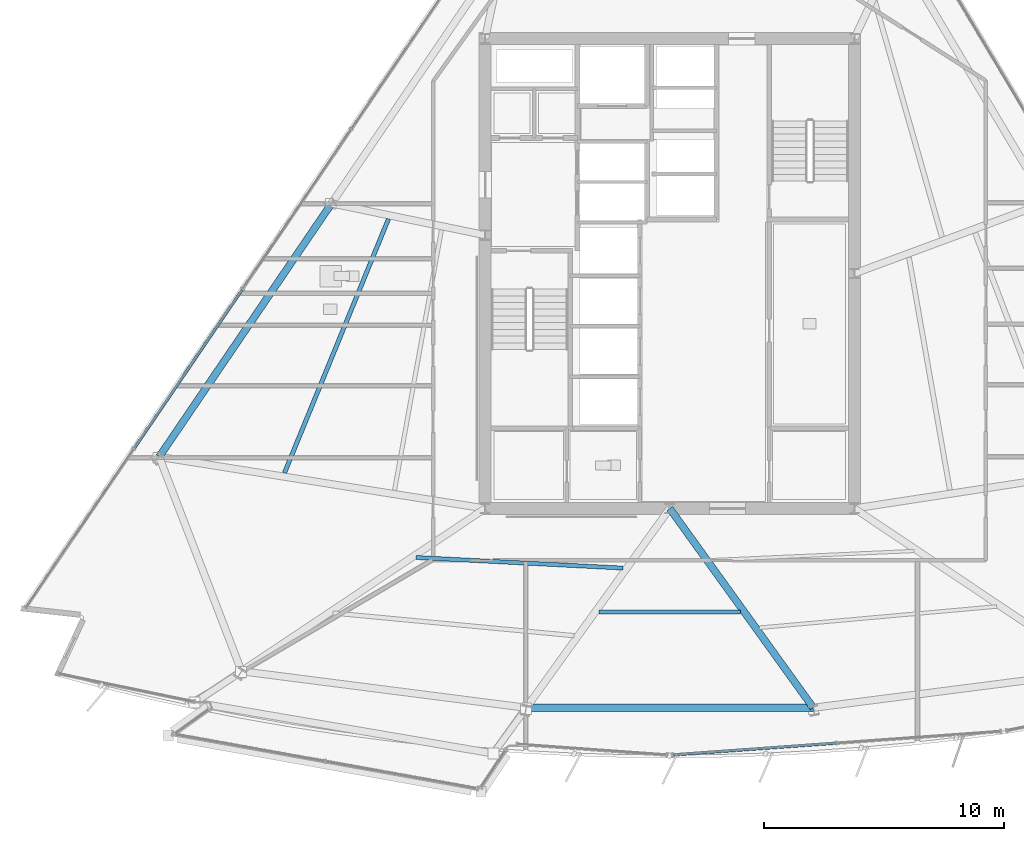
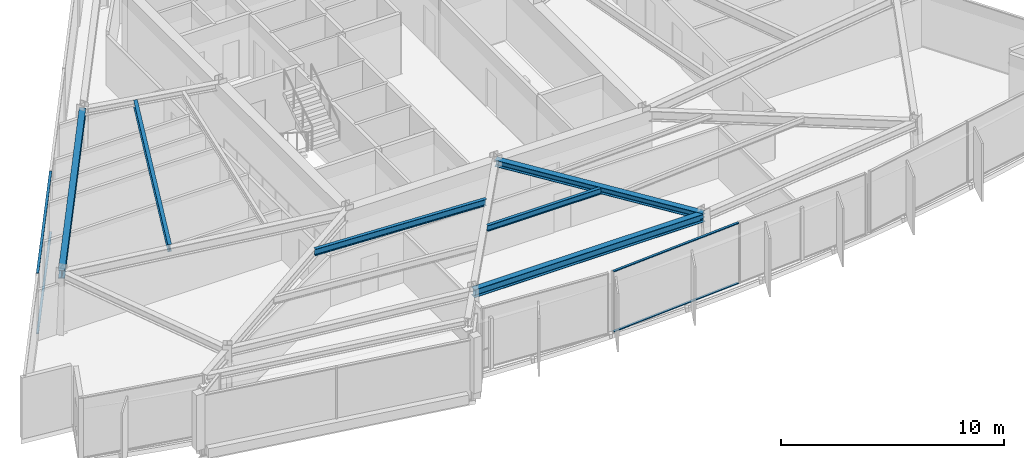
# One storey, part 3 of 16: 6 beams, 4 members, 2 elements without a shape of their own.
"""IFC4 building model written with IfcOpenShell, lengths in metres."""

from ifc_helpers import new_model, si_unit, direction, frame, origin, origin_2d, place, context, subcontext, project, spatial, rectangle, i_section, extrude, material, material_profile, profile_set, type_object, element, aggregate, save


model = new_model("IFC4")

# Units and contexts
model_context = context("Model", 3, precision=1e-05, world=origin(), true_north=direction((0.0, 1.0)))
body_context = subcontext(model_context, "Body", "Model", "MODEL_VIEW")
ifc_project = project(units=[si_unit("LENGTHUNIT", "METRE"), si_unit("AREAUNIT", "SQUARE_METRE"), si_unit("VOLUMEUNIT", "CUBIC_METRE"), si_unit("PLANEANGLEUNIT", "RADIAN"), si_unit("MASSUNIT", "GRAM", prefix="KILO")], contexts=[model_context])

# Site, building, storey
site_placement = place(None, origin())
site = spatial("IfcSite", under=ifc_project, at=site_placement, CompositionType="ELEMENT")
building_placement = place(site_placement, origin())
building = spatial("IfcBuilding", under=site, at=building_placement, Name="Savorim Split Tower", CompositionType="ELEMENT")
storey_placement = place(building_placement, frame((0.0, 0.0, 149.39990234375)))
storey = spatial("IfcBuildingStorey", under=building, at=storey_placement, Name="L39", CompositionType="ELEMENT", Elevation=149.39990234375)

# Beams
ifc_material_1 = material(Name="Steel S355", Category="steel")
ifc_material_profile_1 = material_profile(ifc_material_1, i_section(OverallWidth=0.159912109375, OverallDepth=0.330078125, WebThickness=0.007568359375, FlangeThickness=0.011474609375, FilletRadius=0.01806640625, at=origin_2d()), Name="IPE 330")
ifc_profile_set_1 = profile_set([ifc_material_profile_1], Name="Steel S355")
beam_type_1 = type_object("IfcBeamType", Name="BM-JST-IPE330", PredefinedType="JOIST", material=ifc_profile_set_1)
beam_1_placement = place(storey_placement, frame((-2.952392578125, -13.72216796875, 3.18505859375), z_axis=(1.0, 0.0, 0.0), x_axis=(0.0, 1.0, 0.0)))
element("IfcBeam", 1, at=beam_1_placement, inside=storey, type_object=beam_type_1, Name="L39 Secondary Floor Joist JS-03", PredefinedType="JOIST", context=body_context, shape_type="SweptSolid", body=[
    extrude(i_section(OverallWidth=0.159912109375, OverallDepth=0.330078125, WebThickness=0.007568359375, FlangeThickness=0.011474609375, FilletRadius=0.01806640625, at=origin_2d()), origin(), (0.0, 0.0, 1.0), 5.90478515625),
])
ifc_material_profile_2 = material_profile(ifc_material_1, i_section(OverallWidth=0.169921875, OverallDepth=0.360107421875, WebThickness=0.008056640625, FlangeThickness=0.0126953125, FilletRadius=0.01806640625, at=origin_2d()), Name="IPE 360")
ifc_profile_set_2 = profile_set([ifc_material_profile_2], Name="Steel S355")
beam_type_2 = type_object("IfcBeamType", Name="BM-JST-IPE360", PredefinedType="JOIST", material=ifc_profile_set_2)
beam_2_placement = place(storey_placement, frame((-10.587890625, -11.4443359375, 3.170166015625), z_axis=(0.998698162336, -0.051009612296, 0.0), x_axis=(0.051009612296, 0.998698162336, 0.0)))
element("IfcBeam", 2, at=beam_2_placement, inside=storey, type_object=beam_type_2, Name="L39 Secondary Floor Joist JS-02", PredefinedType="JOIST", context=body_context, shape_type="SweptSolid", body=[
    extrude(i_section(OverallWidth=0.169921875, OverallDepth=0.360107421875, WebThickness=0.008056640625, FlangeThickness=0.0126953125, FilletRadius=0.01806640625, at=origin_2d()), origin(), (0.0, 0.0, 1.0), 8.643798828125),
])
ifc_material_profile_3 = material_profile(ifc_material_1, i_section(OverallWidth=0.179931640625, OverallDepth=0.39990234375, WebThickness=0.008544921875, FlangeThickness=0.013427734375, FilletRadius=0.02099609375, at=origin_2d()), Name="IPE 400")
ifc_profile_set_3 = profile_set([ifc_material_profile_3], Name="Steel S355")
beam_type_3 = type_object("IfcBeamType", Name="BM-JST-IPE400", PredefinedType="JOIST", material=ifc_profile_set_3)
beam_3_placement = place(storey_placement, frame((-11.731201171875, 2.67138671875, 3.150146484375), z_axis=(-0.378975126006, -0.925406858559, 0.0), x_axis=(0.925406858559, -0.378975126006, 0.0)))
element("IfcBeam", 3, at=beam_3_placement, inside=storey, type_object=beam_type_3, Name="L39 Secondary Floor Joist JS-10", PredefinedType="JOIST", context=body_context, shape_type="SweptSolid", body=[
    extrude(i_section(OverallWidth=0.179931640625, OverallDepth=0.39990234375, WebThickness=0.008544921875, FlangeThickness=0.013427734375, FilletRadius=0.02099609375, at=origin_2d()), origin(), (0.0, 0.0, 1.0), 11.44189453125),
])
ifc_material_profile_4 = material_profile(ifc_material_1, i_section(OverallWidth=0.300048828125, OverallDepth=0.360107421875, WebThickness=0.012451171875, FlangeThickness=0.0224609375, FilletRadius=0.027099609375, at=origin_2d()), Name="HEB 360")
ifc_profile_set_4 = profile_set([ifc_material_profile_4], Name="Steel S355")
beam_type_4 = type_object("IfcBeamType", Name="BM-PRI-HEB360", PredefinedType="BEAM", material=ifc_profile_set_4)
beam_4_placement = place(storey_placement, frame((5.9853515625, -17.711669921875, 3.170166015625), z_axis=(-0.584361237393, 0.811493650149, 0.0), x_axis=(-0.811493650149, -0.584361237393, 0.0)))
element("IfcBeam", 4, at=beam_4_placement, inside=storey, type_object=beam_type_4, Name="L39 Primary Floor Girder RG-03", PredefinedType="BEAM", context=body_context, shape_type="SweptSolid", body=[
    extrude(i_section(OverallWidth=0.300048828125, OverallDepth=0.360107421875, WebThickness=0.012451171875, FlangeThickness=0.0224609375, FilletRadius=0.027099609375, at=origin_2d()), origin(), (0.0, 0.0, 1.0), 10.24267578125),
])
ifc_material_profile_5 = material_profile(ifc_material_1, i_section(OverallWidth=0.300048828125, OverallDepth=0.43994140625, WebThickness=0.011474609375, FlangeThickness=0.02099609375, FilletRadius=0.027099609375, at=origin_2d()), Name="HEA 450")
ifc_profile_set_5 = profile_set([ifc_material_profile_5], Name="Steel S355")
beam_type_5 = type_object("IfcBeamType", Name="BM-SPN-HEA450", PredefinedType="SPANDREL", material=ifc_profile_set_5)
beam_5_placement = place(storey_placement, frame((-5.9853515625, -17.711669921875, 3.130126953125), z_axis=(1.0, 0.0, 0.0), x_axis=(0.0, 1.0, 0.0)))
element("IfcBeam", 5, at=beam_5_placement, inside=storey, type_object=beam_type_5, Name="L39 Perimeter Spandrel Beam 2", PredefinedType="SPANDREL", context=body_context, shape_type="SweptSolid", body=[
    extrude(i_section(OverallWidth=0.300048828125, OverallDepth=0.43994140625, WebThickness=0.011474609375, FlangeThickness=0.02099609375, FilletRadius=0.027099609375, at=origin_2d()), origin(), (0.0, 0.0, 1.0), 11.970703125),
])
beam_6_placement = place(storey_placement, frame((-14.10400390625, 3.32177734375, 3.130126953125), z_axis=(-0.562473007457, -0.826815648063, 0.0), x_axis=(0.826815648063, -0.562473007457, 0.0)))
element("IfcBeam", 6, at=beam_6_placement, inside=storey, type_object=beam_type_5, Name="L39 Perimeter Spandrel Beam 9", PredefinedType="SPANDREL", context=body_context, shape_type="SweptSolid", body=[
    extrude(i_section(OverallWidth=0.300048828125, OverallDepth=0.43994140625, WebThickness=0.011474609375, FlangeThickness=0.02099609375, FilletRadius=0.027099609375, at=origin_2d()), origin(), (0.0, 0.0, 1.0), 12.7822265625),
])

# Curtain wall, members
ifc_material_2 = material(Name="Dark Ceramic-Fritted Insulated Glass", Category="glass")
curtain_wall_type = type_object("IfcCurtainWallType", Name="CW-TWR-FRIT-B", PredefinedType="NOTDEFINED", material=ifc_material_2)
curtain_wall_1_placement = place(storey_placement, origin())
curtain_wall_1 = element("IfcCurtainWall", 7, at=curtain_wall_1_placement, inside=storey, type_object=curtain_wall_type, Name="L39 Curtain Wall CW-L39-SF3A", PredefinedType="NOTDEFINED")
ifc_material_3 = material(Name="Charcoal Anodised Aluminium", Category="aluminium")
ifc_material_profile_6 = material_profile(ifc_material_3, rectangle(XDim=0.1201171875, YDim=0.050048828125, at=origin_2d()), Name="ALU-T 120x50")
ifc_profile_set_6 = profile_set([ifc_material_profile_6], Name="Charcoal Anodised Aluminium")
member_type = type_object("IfcMemberType", Name="CWT-120x50", PredefinedType="USERDEFINED", material=ifc_profile_set_6)
member_1_placement = place(storey_placement, frame((0.151123046875, -19.67041015625, 0.025146484375), z_axis=(0.99743787546, 0.071537994092, 0.0), x_axis=(-0.071537994092, 0.99743787546, 0.0)))
member_1 = element("IfcMember", 8, at=member_1_placement, type_object=member_type, Name="CW-03 transom 1.1", ObjectType="TRANSOM", PredefinedType="USERDEFINED", context=body_context, shape_type="SweptSolid", body=[
    extrude(rectangle(XDim=0.1201171875, YDim=0.050048828125, at=origin_2d()), origin(), (0.0, 0.0, 1.0), 6.798095703125),
])
member_2_placement = place(storey_placement, frame((0.151123046875, -19.67041015625, 3.3251953125), z_axis=(0.99743787546, 0.071537994092, 0.0), x_axis=(-0.071537994092, 0.99743787546, 0.0)))
member_2 = element("IfcMember", 9, at=member_2_placement, type_object=member_type, Name="CW-03 transom 1.2", ObjectType="TRANSOM", PredefinedType="USERDEFINED", context=body_context, shape_type="SweptSolid", body=[
    extrude(rectangle(XDim=0.1201171875, YDim=0.050048828125, at=origin_2d()), origin(), (0.0, 0.0, 1.0), 6.798095703125),
])
aggregate(curtain_wall_1, [member_1, member_2])

curtain_wall_2_placement = place(storey_placement, origin())
curtain_wall_2 = element("IfcCurtainWall", 10, at=curtain_wall_2_placement, inside=storey, type_object=curtain_wall_type, Name="L39 Curtain Wall CW-L39-WEST", PredefinedType="NOTDEFINED")
member_3_placement = place(storey_placement, frame((-17.829345703125, -0.264892578125, 0.025146484375), z_axis=(-0.56246201247, -0.826823127717, 0.0), x_axis=(0.826823127717, -0.56246201247, 0.0)))
member_3 = element("IfcMember", 11, at=member_3_placement, type_object=member_type, Name="CW-03 transom 3.1", ObjectType="TRANSOM", PredefinedType="USERDEFINED", context=body_context, shape_type="SweptSolid", body=[
    extrude(rectangle(XDim=0.1201171875, YDim=0.050048828125, at=origin_2d()), origin(), (0.0, 0.0, 1.0), 7.995849609375),
])
member_4_placement = place(storey_placement, frame((-17.829345703125, -0.264892578125, 3.3251953125), z_axis=(-0.56246201247, -0.826823127717, 0.0), x_axis=(0.826823127717, -0.56246201247, 0.0)))
member_4 = element("IfcMember", 12, at=member_4_placement, type_object=member_type, Name="CW-03 transom 3.2", ObjectType="TRANSOM", PredefinedType="USERDEFINED", context=body_context, shape_type="SweptSolid", body=[
    extrude(rectangle(XDim=0.1201171875, YDim=0.050048828125, at=origin_2d()), origin(), (0.0, 0.0, 1.0), 7.995849609375),
])
aggregate(curtain_wall_2, [member_3, member_4])

save(model, "model.ifc")
